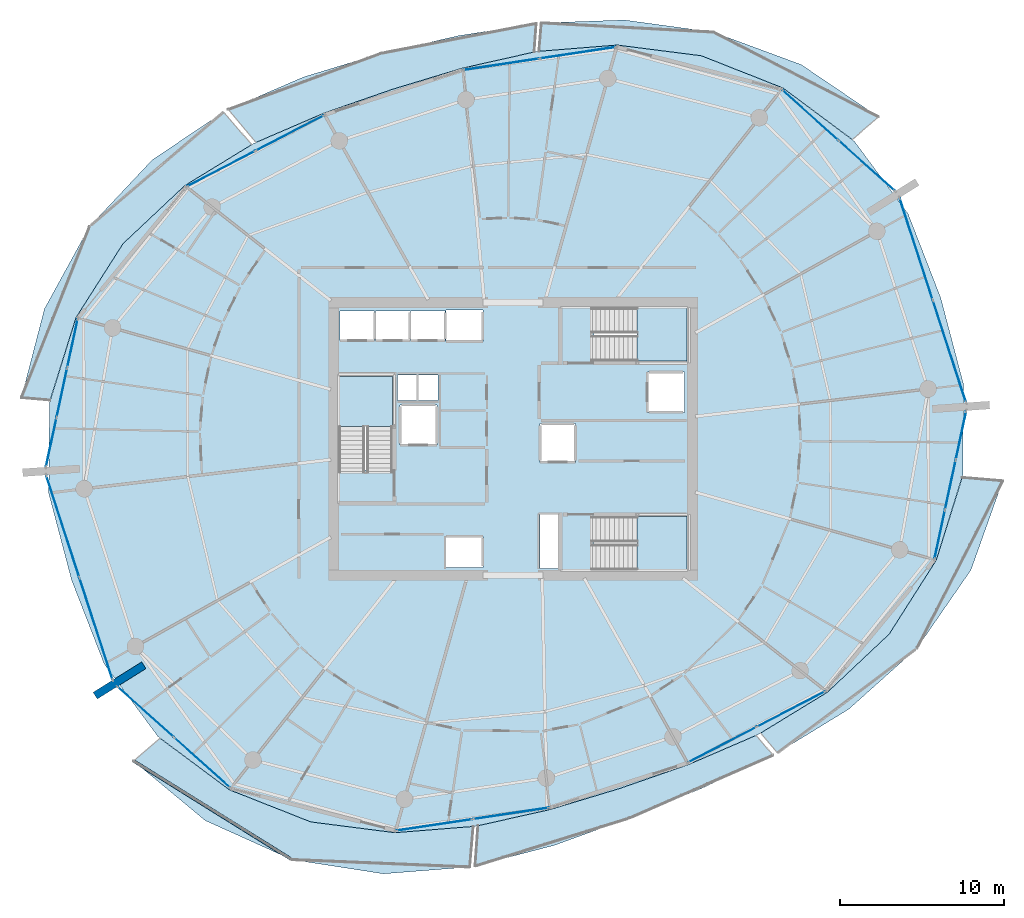
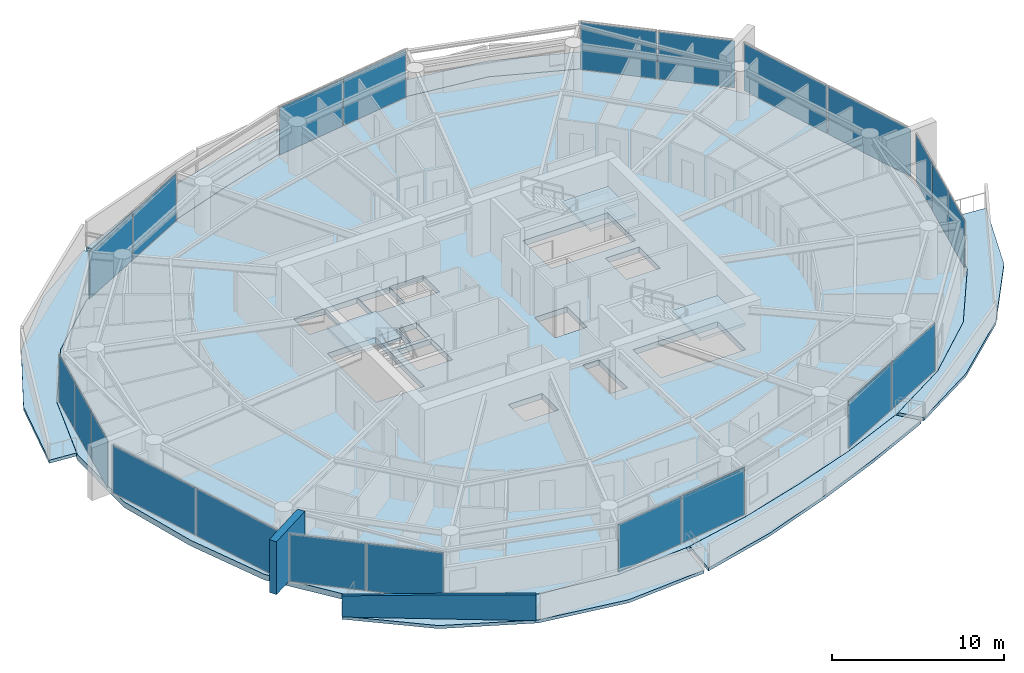
# One storey, part 10 of 21: 22 plates, 10 slabs, 2 walls, 13 elements without a shape of their own.
"""IFC4 building model written with IfcOpenShell, lengths in metres."""

from ifc_helpers import new_model, si_unit, direction, frame, frame_2d, origin, origin_2d, place, context, subcontext, project, spatial, polyline, rectangle, outline, extrude, material, layer, layer_set, type_object, element, aggregate, save


model = new_model("IFC4")

# Units and contexts
model_context = context("Model", 3, precision=1e-05, world=origin(), true_north=direction((0.0, 1.0)))
body_context = subcontext(model_context, "Body", "Model", "MODEL_VIEW")
ifc_project = project(units=[si_unit("LENGTHUNIT", "METRE"), si_unit("AREAUNIT", "SQUARE_METRE"), si_unit("VOLUMEUNIT", "CUBIC_METRE"), si_unit("PLANEANGLEUNIT", "RADIAN"), si_unit("MASSUNIT", "GRAM", prefix="KILO")], contexts=[model_context])

# Site, building, storey
site_placement = place(None, origin())
site = spatial("IfcSite", under=ifc_project, at=site_placement, CompositionType="ELEMENT")
building_placement = place(site_placement, origin())
building = spatial("IfcBuilding", under=site, at=building_placement, Name="Kazma Halo Residences", CompositionType="ELEMENT")
storey_placement = place(building_placement, frame((0.0, 0.0, 176.550048828125)))
storey = spatial("IfcBuildingStorey", under=building, at=storey_placement, Name="L44", CompositionType="ELEMENT", Elevation=176.550048828125)

# Curtain wall, plates
ifc_material_1 = material(Name="Aluminium AW-6063 T6 and Triple-Silver Low-E Glass", Category="aluminium")
ifc_layer_1 = layer(ifc_material_1, 0.219970703125)
ifc_layer_set_1 = layer_set([ifc_layer_1], Name="Aluminium AW-6063 T6 and Triple-Silver Low-E Glass")
curtain_wall_type = type_object("IfcCurtainWallType", Name="CW-SYS-4", PredefinedType="NOTDEFINED", material=ifc_layer_set_1)
curtain_wall_1_placement = place(storey_placement, origin())
curtain_wall_1 = element("IfcCurtainWall", 1, at=curtain_wall_1_placement, inside=storey, type_object=curtain_wall_type, Name="L44 unitised curtain wall B01", PredefinedType="NOTDEFINED")
ifc_material_2 = material(Name="Clear Triple-Silver Low-E Glass IGU", Category="glass")
ifc_layer_2 = layer(ifc_material_2, 0.033935546875)
ifc_layer_set_2 = layer_set([ifc_layer_2], Name="Clear Triple-Silver Low-E Glass IGU")
plate_type = type_object("IfcPlateType", Name="CW-SYS-4-PNL", PredefinedType="CURTAIN_PANEL", material=ifc_layer_set_2)
plate_1_placement = place(storey_placement, frame((70.001220703125, 58.669677734375, 0.074951171875), z_axis=(0.0, 0.0, 1.0), x_axis=(-0.744354814723, 0.667784328806, 0.0)))
plate_1 = element("IfcPlate", 2, at=plate_1_placement, type_object=plate_type, Name="CWS-4 panel 1.1", PredefinedType="CURTAIN_PANEL", context=body_context, shape_type="SweptSolid", body=[
    extrude(rectangle(XDim=4.5478515625, YDim=0.033935546875, at=origin_2d()), origin(), (0.0, 0.0, 1.0), 3.35009765625),
])
plate_2_placement = place(storey_placement, frame((66.56005859375, 61.7568359375, 0.074951171875), z_axis=(0.0, 0.0, 1.0), x_axis=(-0.744354814723, 0.667784328806, 0.0)))
plate_2 = element("IfcPlate", 3, at=plate_2_placement, type_object=plate_type, Name="CWS-4 panel 2.1", PredefinedType="CURTAIN_PANEL", context=body_context, shape_type="SweptSolid", body=[
    extrude(rectangle(XDim=4.5478515625, YDim=0.033935546875, at=origin_2d()), origin(), (0.0, 0.0, 1.0), 3.35009765625),
])
aggregate(curtain_wall_1, [plate_1, plate_2])

curtain_wall_2_placement = place(storey_placement, origin())
curtain_wall_2 = element("IfcCurtainWall", 4, at=curtain_wall_2_placement, inside=storey, type_object=curtain_wall_type, Name="L44 unitised curtain wall B03", PredefinedType="NOTDEFINED")
plate_3_placement = place(storey_placement, frame((52.375, 65.562255859375, 0.074951171875), z_axis=(0.0, 0.0, 1.0), x_axis=(-0.988871428361, -0.148772639188, 0.0)))
plate_3 = element("IfcPlate", 5, at=plate_3_placement, type_object=plate_type, Name="CWS-4 panel 1.1", PredefinedType="CURTAIN_PANEL", context=body_context, shape_type="SweptSolid", body=[
    extrude(rectangle(XDim=4.64501953125, YDim=0.033935546875, at=origin_2d()), origin(), (0.0, 0.0, 1.0), 3.35009765625),
])
plate_4_placement = place(storey_placement, frame((47.70751953125, 64.860107421875, 0.074951171875), z_axis=(0.0, 0.0, 1.0), x_axis=(-0.988871428361, -0.148772639188, 0.0)))
plate_4 = element("IfcPlate", 6, at=plate_4_placement, type_object=plate_type, Name="CWS-4 panel 2.1", PredefinedType="CURTAIN_PANEL", context=body_context, shape_type="SweptSolid", body=[
    extrude(rectangle(XDim=4.64501953125, YDim=0.033935546875, at=origin_2d()), origin(), (0.0, 0.0, 1.0), 3.35009765625),
])
aggregate(curtain_wall_2, [plate_3, plate_4])

curtain_wall_3_placement = place(storey_placement, origin())
curtain_wall_3 = element("IfcCurtainWall", 7, at=curtain_wall_3_placement, inside=storey, type_object=curtain_wall_type, Name="L44 unitised curtain wall B05", PredefinedType="NOTDEFINED")
plate_5_placement = place(storey_placement, frame((34.7998046875, 60.666015625, 0.074951171875), z_axis=(0.0, 0.0, 1.0), x_axis=(-0.887465657575, -0.460873851097, 0.0)))
plate_5 = element("IfcPlate", 8, at=plate_5_placement, type_object=plate_type, Name="CWS-4 panel 1.1", PredefinedType="CURTAIN_PANEL", context=body_context, shape_type="SweptSolid", body=[
    extrude(rectangle(XDim=4.64501953125, YDim=0.033935546875, at=origin_2d()), origin(), (0.0, 0.0, 1.0), 3.35009765625),
])
plate_6_placement = place(storey_placement, frame((30.61083984375, 58.49072265625, 0.074951171875), z_axis=(0.0, 0.0, 1.0), x_axis=(-0.887465657575, -0.460873851097, 0.0)))
plate_6 = element("IfcPlate", 9, at=plate_6_placement, type_object=plate_type, Name="CWS-4 panel 2.1", PredefinedType="CURTAIN_PANEL", context=body_context, shape_type="SweptSolid", body=[
    extrude(rectangle(XDim=4.64501953125, YDim=0.033935546875, at=origin_2d()), origin(), (0.0, 0.0, 1.0), 3.35009765625),
])
aggregate(curtain_wall_3, [plate_5, plate_6])

curtain_wall_4_placement = place(storey_placement, origin())
curtain_wall_4 = element("IfcCurtainWall", 10, at=curtain_wall_4_placement, inside=storey, type_object=curtain_wall_type, Name="L44 unitised curtain wall B07", PredefinedType="NOTDEFINED")
plate_7_placement = place(storey_placement, frame((21.53466796875, 47.833740234375, 0.074951171875), z_axis=(0.0, 0.0, 1.0), x_axis=(-0.209689543175, -0.977768017212, 0.0)))
plate_7 = element("IfcPlate", 11, at=plate_7_placement, type_object=plate_type, Name="CWS-4 panel 1.1", PredefinedType="CURTAIN_PANEL", context=body_context, shape_type="SweptSolid", body=[
    extrude(rectangle(XDim=2.994384765625, YDim=0.033935546875, at=origin_2d()), origin(), (0.0, 0.0, 1.0), 3.35009765625),
])
plate_8_placement = place(storey_placement, frame((20.88720703125, 44.814208984375, 0.074951171875), z_axis=(0.0, 0.0, 1.0), x_axis=(-0.209689543175, -0.977768017212, 0.0)))
plate_8 = element("IfcPlate", 12, at=plate_8_placement, type_object=plate_type, Name="CWS-4 panel 2.1", PredefinedType="CURTAIN_PANEL", context=body_context, shape_type="SweptSolid", body=[
    extrude(rectangle(XDim=3.031982421875, YDim=0.033935546875, at=origin_2d()), origin(), (0.0, 0.0, 1.0), 3.35009765625),
])
plate_9_placement = place(storey_placement, frame((20.239501953125, 41.794677734375, 0.074951171875), z_axis=(0.0, 0.0, 1.0), x_axis=(-0.209689543175, -0.977768017212, 0.0)))
plate_9 = element("IfcPlate", 13, at=plate_9_placement, type_object=plate_type, Name="CWS-4 panel 3.1", PredefinedType="CURTAIN_PANEL", context=body_context, shape_type="SweptSolid", body=[
    extrude(rectangle(XDim=2.994384765625, YDim=0.033935546875, at=origin_2d()), origin(), (0.0, 0.0, 1.0), 3.35009765625),
])
aggregate(curtain_wall_4, [plate_7, plate_8, plate_9])

curtain_wall_5_placement = place(storey_placement, origin())
curtain_wall_5 = element("IfcCurtainWall", 14, at=curtain_wall_5_placement, inside=storey, type_object=curtain_wall_type, Name="L44 unitised curtain wall B08", PredefinedType="NOTDEFINED")
plate_10_placement = place(storey_placement, frame((20.942626953125, 36.658447265625, 0.074951171875), z_axis=(0.0, 0.0, 1.0), x_axis=(0.309015833038, -0.951056893636, 0.0)))
plate_10 = element("IfcPlate", 15, at=plate_10_placement, type_object=plate_type, Name="CWS-4 panel 1.1", PredefinedType="CURTAIN_PANEL", context=body_context, shape_type="SweptSolid", body=[
    extrude(rectangle(XDim=6.487060546875, YDim=0.033935546875, at=origin_2d()), origin(), (0.0, 0.0, 1.0), 3.35009765625),
])
plate_11_placement = place(storey_placement, frame((22.970458984375, 30.41748046875, 0.074951171875), z_axis=(0.0, 0.0, 1.0), x_axis=(0.309015833038, -0.951056893636, 0.0)))
plate_11 = element("IfcPlate", 16, at=plate_11_placement, type_object=plate_type, Name="CWS-4 panel 2.1", PredefinedType="CURTAIN_PANEL", context=body_context, shape_type="SweptSolid", body=[
    extrude(rectangle(XDim=6.487060546875, YDim=0.033935546875, at=origin_2d()), origin(), (0.0, 0.0, 1.0), 3.35009765625),
])
aggregate(curtain_wall_5, [plate_10, plate_11])

curtain_wall_6_placement = place(storey_placement, origin())
curtain_wall_6 = element("IfcCurtainWall", 17, at=curtain_wall_6_placement, inside=storey, type_object=curtain_wall_type, Name="L44 unitised curtain wall B09", PredefinedType="NOTDEFINED")
plate_12_placement = place(storey_placement, frame((25.998779296875, 25.330322265625, 0.074951171875), z_axis=(0.0, 0.0, 1.0), x_axis=(0.744354814723, -0.667784328806, 0.0)))
plate_12 = element("IfcPlate", 18, at=plate_12_placement, type_object=plate_type, Name="CWS-4 panel 1.1", PredefinedType="CURTAIN_PANEL", context=body_context, shape_type="SweptSolid", body=[
    extrude(rectangle(XDim=4.5478515625, YDim=0.033935546875, at=origin_2d()), origin(), (0.0, 0.0, 1.0), 3.35009765625),
])
plate_13_placement = place(storey_placement, frame((29.43994140625, 22.2431640625, 0.074951171875), z_axis=(0.0, 0.0, 1.0), x_axis=(0.744354814723, -0.667784328806, 0.0)))
plate_13 = element("IfcPlate", 19, at=plate_13_placement, type_object=plate_type, Name="CWS-4 panel 2.1", PredefinedType="CURTAIN_PANEL", context=body_context, shape_type="SweptSolid", body=[
    extrude(rectangle(XDim=4.5478515625, YDim=0.033935546875, at=origin_2d()), origin(), (0.0, 0.0, 1.0), 3.35009765625),
])
aggregate(curtain_wall_6, [plate_12, plate_13])

curtain_wall_7_placement = place(storey_placement, origin())
curtain_wall_7 = element("IfcCurtainWall", 20, at=curtain_wall_7_placement, inside=storey, type_object=curtain_wall_type, Name="L44 unitised curtain wall B11", PredefinedType="NOTDEFINED")
plate_14_placement = place(storey_placement, frame((43.625, 18.437744140625, 0.074951171875), z_axis=(0.0, 0.0, 1.0), x_axis=(0.988871428361, 0.148772639188, 0.0)))
plate_14 = element("IfcPlate", 21, at=plate_14_placement, type_object=plate_type, Name="CWS-4 panel 1.1", PredefinedType="CURTAIN_PANEL", context=body_context, shape_type="SweptSolid", body=[
    extrude(rectangle(XDim=4.64501953125, YDim=0.033935546875, at=origin_2d()), origin(), (0.0, 0.0, 1.0), 3.35009765625),
])
plate_15_placement = place(storey_placement, frame((48.29248046875, 19.139892578125, 0.074951171875), z_axis=(0.0, 0.0, 1.0), x_axis=(0.988871428361, 0.148772639188, 0.0)))
plate_15 = element("IfcPlate", 22, at=plate_15_placement, type_object=plate_type, Name="CWS-4 panel 2.1", PredefinedType="CURTAIN_PANEL", context=body_context, shape_type="SweptSolid", body=[
    extrude(rectangle(XDim=4.64501953125, YDim=0.033935546875, at=origin_2d()), origin(), (0.0, 0.0, 1.0), 3.35009765625),
])
aggregate(curtain_wall_7, [plate_14, plate_15])

curtain_wall_8_placement = place(storey_placement, origin())
curtain_wall_8 = element("IfcCurtainWall", 23, at=curtain_wall_8_placement, inside=storey, type_object=curtain_wall_type, Name="L44 unitised curtain wall B13", PredefinedType="NOTDEFINED")
plate_16_placement = place(storey_placement, frame((61.2001953125, 23.333984375, 0.074951171875), z_axis=(0.0, 0.0, 1.0), x_axis=(0.887465657575, 0.460873851097, 0.0)))
plate_16 = element("IfcPlate", 24, at=plate_16_placement, type_object=plate_type, Name="CWS-4 panel 1.1", PredefinedType="CURTAIN_PANEL", context=body_context, shape_type="SweptSolid", body=[
    extrude(rectangle(XDim=4.64501953125, YDim=0.033935546875, at=origin_2d()), origin(), (0.0, 0.0, 1.0), 3.35009765625),
])
plate_17_placement = place(storey_placement, frame((65.38916015625, 25.50927734375, 0.074951171875), z_axis=(0.0, 0.0, 1.0), x_axis=(0.887465657575, 0.460873851097, 0.0)))
plate_17 = element("IfcPlate", 25, at=plate_17_placement, type_object=plate_type, Name="CWS-4 panel 2.1", PredefinedType="CURTAIN_PANEL", context=body_context, shape_type="SweptSolid", body=[
    extrude(rectangle(XDim=4.64501953125, YDim=0.033935546875, at=origin_2d()), origin(), (0.0, 0.0, 1.0), 3.35009765625),
])
aggregate(curtain_wall_8, [plate_16, plate_17])

curtain_wall_9_placement = place(storey_placement, origin())
curtain_wall_9 = element("IfcCurtainWall", 26, at=curtain_wall_9_placement, inside=storey, type_object=curtain_wall_type, Name="L44 unitised curtain wall B15", PredefinedType="NOTDEFINED")
plate_18_placement = place(storey_placement, frame((74.46533203125, 36.166259765625, 0.074951171875), z_axis=(0.0, 0.0, 1.0), x_axis=(0.209689543175, 0.977768017212, 0.0)))
plate_18 = element("IfcPlate", 27, at=plate_18_placement, type_object=plate_type, Name="CWS-4 panel 1.1", PredefinedType="CURTAIN_PANEL", context=body_context, shape_type="SweptSolid", body=[
    extrude(rectangle(XDim=2.994384765625, YDim=0.033935546875, at=origin_2d()), origin(), (0.0, 0.0, 1.0), 3.35009765625),
])
plate_19_placement = place(storey_placement, frame((75.11279296875, 39.185791015625, 0.074951171875), z_axis=(0.0, 0.0, 1.0), x_axis=(0.209689543175, 0.977768017212, 0.0)))
plate_19 = element("IfcPlate", 28, at=plate_19_placement, type_object=plate_type, Name="CWS-4 panel 2.1", PredefinedType="CURTAIN_PANEL", context=body_context, shape_type="SweptSolid", body=[
    extrude(rectangle(XDim=3.031982421875, YDim=0.033935546875, at=origin_2d()), origin(), (0.0, 0.0, 1.0), 3.35009765625),
])
plate_20_placement = place(storey_placement, frame((75.760498046875, 42.205322265625, 0.074951171875), z_axis=(0.0, 0.0, 1.0), x_axis=(0.209689543175, 0.977768017212, 0.0)))
plate_20 = element("IfcPlate", 29, at=plate_20_placement, type_object=plate_type, Name="CWS-4 panel 3.1", PredefinedType="CURTAIN_PANEL", context=body_context, shape_type="SweptSolid", body=[
    extrude(rectangle(XDim=2.994384765625, YDim=0.033935546875, at=origin_2d()), origin(), (0.0, 0.0, 1.0), 3.35009765625),
])
aggregate(curtain_wall_9, [plate_18, plate_19, plate_20])

curtain_wall_10_placement = place(storey_placement, origin())
curtain_wall_10 = element("IfcCurtainWall", 30, at=curtain_wall_10_placement, inside=storey, type_object=curtain_wall_type, Name="L44 unitised curtain wall B16", PredefinedType="NOTDEFINED")
plate_21_placement = place(storey_placement, frame((75.057373046875, 47.341552734375, 0.074951171875), z_axis=(0.0, 0.0, 1.0), x_axis=(-0.309015833038, 0.951056893636, 0.0)))
plate_21 = element("IfcPlate", 31, at=plate_21_placement, type_object=plate_type, Name="CWS-4 panel 1.1", PredefinedType="CURTAIN_PANEL", context=body_context, shape_type="SweptSolid", body=[
    extrude(rectangle(XDim=6.487060546875, YDim=0.033935546875, at=origin_2d()), origin(), (0.0, 0.0, 1.0), 3.35009765625),
])
plate_22_placement = place(storey_placement, frame((73.029541015625, 53.58251953125, 0.074951171875), z_axis=(0.0, 0.0, 1.0), x_axis=(-0.309015833038, 0.951056893636, 0.0)))
plate_22 = element("IfcPlate", 32, at=plate_22_placement, type_object=plate_type, Name="CWS-4 panel 2.1", PredefinedType="CURTAIN_PANEL", context=body_context, shape_type="SweptSolid", body=[
    extrude(rectangle(XDim=6.487060546875, YDim=0.033935546875, at=origin_2d()), origin(), (0.0, 0.0, 1.0), 3.35009765625),
])
aggregate(curtain_wall_10, [plate_21, plate_22])

# Slabs
ifc_material_3 = material(Name="White Concrete C50/60", Category="concrete")
ifc_layer_3 = layer(ifc_material_3, 0.219970703125)
ifc_layer_set_3 = layer_set([ifc_layer_3], Name="White Concrete C50/60")
slab_type_1 = type_object("IfcSlabType", Name="SLB-BAL-WAVE-210", PredefinedType="FLOOR", material=ifc_layer_set_3)
slab_1_placement = place(storey_placement, frame((0.0, 0.0, -0.219970703125)))
element("IfcSlab", 33, at=slab_1_placement, inside=storey, type_object=slab_type_1, Name="L44 NE cantilevered wave balcony slab", PredefinedType="FLOOR", context=body_context, shape_type="SweptSolid", body=[
    extrude(outline(polyline([(69.130126953125, 60.271240234375), (64.88720703125, 63.421142578125), (59.913818359375, 65.382080078125), (54.779052734375, 66.036376953125), (50.007080078125, 65.656005859375), (50.15380859375, 67.384521484375), (55.2099609375, 67.564697265625), (60.648193359375, 66.8232421875), (66.007080078125, 64.841796875), (70.725830078125, 61.65087890625), (69.130126953125, 60.271240234375)])), origin(), (0.0, 0.0, 1.0), 0.219970703125),
])
slab_2_placement = place(storey_placement, frame((0.0, 0.0, -0.219970703125)))
element("IfcSlab", 34, at=slab_2_placement, inside=storey, type_object=slab_type_1, Name="L44 NNW cantilevered wave balcony slab", PredefinedType="FLOOR", context=body_context, shape_type="SweptSolid", body=[
    extrude(outline(polyline([(49.713134765625, 65.612060546875), (45.322265625, 64.62451171875), (41.066650390625, 63.338623046875), (36.867919921875, 61.877685546875), (32.735107421875, 60.095458984375), (31.04296875, 62.1015625), (35.631591796875, 64.085205078125), (40.35693359375, 65.523193359375), (45.08740234375, 66.607177734375), (49.83935546875, 67.351318359375), (49.713134765625, 65.612060546875)])), origin(), (0.0, 0.0, 1.0), 0.219970703125),
])
slab_3_placement = place(storey_placement, frame((0.0, 0.0, -0.219970703125)))
element("IfcSlab", 35, at=slab_3_placement, inside=storey, type_object=slab_type_1, Name="L44 NW cantilevered wave balcony slab", PredefinedType="FLOOR", context=body_context, shape_type="SweptSolid", body=[
    extrude(outline(polyline([(32.471435546875, 59.958251953125), (28.387451171875, 57.461181640625), (24.617919921875, 53.913818359375), (21.7470703125, 49.404052734375), (20.165771484375, 44.36181640625), (18.413818359375, 44.510498046875), (19.825439453125, 49.946044921875), (22.5712890625, 54.95654296875), (26.400390625, 59.02783203125), (30.751708984375, 61.947021484375), (32.471435546875, 59.958251953125)])), origin(), (0.0, 0.0, 1.0), 0.219970703125),
])
slab_4_placement = place(storey_placement, frame((0.0, 0.0, -0.219970703125)))
element("IfcSlab", 36, at=slab_4_placement, inside=storey, type_object=slab_type_1, Name="L44 SW cantilevered wave balcony slab", PredefinedType="FLOOR", context=body_context, shape_type="SweptSolid", body=[
    extrude(outline(polyline([(26.869873046875, 23.728759765625), (31.11279296875, 20.578857421875), (36.086181640625, 18.617919921875), (41.220947265625, 17.963623046875), (45.992919921875, 18.343994140625), (45.78271484375, 15.869384765625), (40.51318359375, 15.453369140625), (34.915771484375, 16.320556640625), (29.63525390625, 18.704345703125), (25.259765625, 22.33642578125), (26.869873046875, 23.728759765625)])), origin(), (0.0, 0.0, 1.0), 0.219970703125),
])
slab_5_placement = place(storey_placement, frame((0.0, 0.0, -0.219970703125)))
element("IfcSlab", 37, at=slab_5_placement, inside=storey, type_object=slab_type_1, Name="L44 SSE cantilevered wave balcony slab", PredefinedType="FLOOR", context=body_context, shape_type="SweptSolid", body=[
    extrude(outline(polyline([(46.286865234375, 18.387939453125), (50.677734375, 19.37548828125), (54.933349609375, 20.661376953125), (59.132080078125, 22.122314453125), (63.264892578125, 23.904541015625), (64.28662109375, 22.693115234375), (59.94580078125, 20.669189453125), (55.520263671875, 18.855224609375), (50.936279296875, 17.19140625), (46.1083984375, 15.928955078125), (46.286865234375, 18.387939453125)])), origin(), (0.0, 0.0, 1.0), 0.219970703125),
])
slab_6_placement = place(storey_placement, frame((0.0, 0.0, -0.219970703125)))
element("IfcSlab", 38, at=slab_6_placement, inside=storey, type_object=slab_type_1, Name="L44 SE cantilevered wave balcony slab", PredefinedType="FLOOR", context=body_context, shape_type="SweptSolid", body=[
    extrude(outline(polyline([(63.528564453125, 24.041748046875), (67.612548828125, 26.538818359375), (71.382080078125, 30.086181640625), (74.2529296875, 34.595947265625), (75.834228515625, 39.63818359375), (78.305419921875, 39.4287109375), (76.369873046875, 33.998779296875), (73.073974609375, 29.22412109375), (68.920654296875, 25.507568359375), (64.568115234375, 22.839599609375), (63.528564453125, 24.041748046875)])), origin(), (0.0, 0.0, 1.0), 0.219970703125),
])

# Stair, slab
ifc_material_4 = material(Name="Concrete C50/60", Category="concrete")
stair_type = type_object("IfcStairType", Name="STR-RES1", PredefinedType="HALF_TURN_STAIR", material=ifc_material_4)
stair_1_placement = place(storey_placement, origin())
stair_1 = element("IfcStair", 39, at=stair_1_placement, inside=storey, type_object=stair_type, Name="L44 Core exit stair ST-01", PredefinedType="HALF_TURN_STAIR")
ifc_layer_4 = layer(ifc_material_4, 0.199951171875)
ifc_layer_set_4 = layer_set([ifc_layer_4], Name="Concrete C50/60")
slab_type_2 = type_object("IfcSlabType", Name="SLB-STAIR-LND-200", PredefinedType="LANDING", material=ifc_layer_set_4)
slab_7_placement = place(storey_placement, frame((0.0, 0.0, 1.675048828125)))
slab_7 = element("IfcSlab", 40, at=slab_7_placement, type_object=slab_type_2, Name="ST-01 landing 1", PredefinedType="LANDING", context=body_context, shape_type="SweptSolid", body=[
    extrude(outline(polyline([(41.050048828125, 42.75), (41.050048828125, 45.800048828125), (37.800048828125, 45.800048828125), (37.800048828125, 42.75), (41.050048828125, 42.75)])), origin(), (0.0, 0.0, 1.0), 0.199951171875),
])
aggregate(stair_1, [slab_7])

stair_2_placement = place(storey_placement, origin())
stair_2 = element("IfcStair", 41, at=stair_2_placement, inside=storey, type_object=stair_type, Name="L44 Core exit stair ST-02", PredefinedType="HALF_TURN_STAIR")
slab_8_placement = place(storey_placement, frame((0.0, 0.0, 1.675048828125)))
slab_8 = element("IfcSlab", 42, at=slab_8_placement, type_object=slab_type_2, Name="ST-02 landing 1", PredefinedType="LANDING", context=body_context, shape_type="SweptSolid", body=[
    extrude(outline(polyline([(56.0, 46.75), (59.050048828125, 46.75), (59.050048828125, 50.0), (56.0, 50.0), (56.0, 46.75)])), origin(), (0.0, 0.0, 1.0), 0.199951171875),
])
aggregate(stair_2, [slab_8])

stair_3_placement = place(storey_placement, origin())
stair_3 = element("IfcStair", 43, at=stair_3_placement, inside=storey, type_object=stair_type, Name="L44 Core exit stair ST-03", PredefinedType="HALF_TURN_STAIR")
slab_9_placement = place(storey_placement, frame((0.0, 0.0, 1.675048828125)))
slab_9 = element("IfcSlab", 44, at=slab_9_placement, type_object=slab_type_2, Name="ST-03 landing 1", PredefinedType="LANDING", context=body_context, shape_type="SweptSolid", body=[
    extrude(outline(polyline([(56.0, 34.0), (59.050048828125, 34.0), (59.050048828125, 37.25), (56.0, 37.25), (56.0, 34.0)])), origin(), (0.0, 0.0, 1.0), 0.199951171875),
])
aggregate(stair_3, [slab_9])

# Slab
ifc_material_5 = material(Name="Concrete C60/75", Category="concrete")
ifc_layer_5 = layer(ifc_material_5, 0.39990234375)
ifc_layer_set_5 = layer_set([ifc_layer_5], Name="Concrete C60/75")
slab_type_3 = type_object("IfcSlabType", Name="SLB-TRANS-400", PredefinedType="FLOOR", material=ifc_layer_set_5)
slab_10_placement = place(storey_placement, frame((0.0, 0.0, -0.400146484375)))
element("IfcSlab", 45, at=slab_10_placement, inside=storey, type_object=slab_type_3, Name="L44 structural floor slab", PredefinedType="FLOOR", context=body_context, shape_type="SweptSolid", body=[
    extrude(outline(polyline([(74.521484375, 50.617431640625), (72.531982421875, 55.738525390625), (69.2587890625, 60.156494140625), (64.8857421875, 63.41943359375), (59.912841796875, 65.380126953125), (54.7783203125, 66.034423828125), (49.860595703125, 65.64111328125), (45.322509765625, 64.62255859375), (41.0673828125, 63.336669921875), (36.868896484375, 61.875732421875), (32.598876953125, 60.032470703125), (28.388916015625, 57.460205078125), (24.619873046875, 53.912841796875), (21.7490234375, 49.403564453125), (20.129150390625, 44.193603515625), (20.07763671875, 38.6953125), (21.478515625, 33.382568359375), (23.468017578125, 28.261474609375), (26.7412109375, 23.843505859375), (31.1142578125, 20.58056640625), (36.087158203125, 18.619873046875), (41.2216796875, 17.965576171875), (46.139404296875, 18.35888671875), (50.677490234375, 19.37744140625), (54.9326171875, 20.663330078125), (59.131103515625, 22.124267578125), (63.401123046875, 23.967529296875), (67.611083984375, 26.539794921875), (71.380126953125, 30.087158203125), (74.2509765625, 34.596435546875), (75.870849609375, 39.806396484375), (75.92236328125, 45.3046875), (74.521484375, 50.617431640625)]), holes=[polyline([(37.800048828125, 40.110107421875), (41.050048828125, 40.110107421875), (41.050048828125, 45.800048828125), (37.800048828125, 45.800048828125), (37.800048828125, 40.110107421875)]), polyline([(53.360107421875, 46.75), (59.050048828125, 46.75), (59.050048828125, 50.0), (53.360107421875, 50.0), (53.360107421875, 46.75)]), polyline([(53.360107421875, 34.0), (59.050048828125, 34.0), (59.050048828125, 37.25), (53.360107421875, 37.25), (53.360107421875, 34.0)]), polyline([(41.52001953125, 41.6201171875), (43.780029296875, 41.6201171875), (43.780029296875, 44.080078125), (41.52001953125, 44.080078125), (41.52001953125, 41.6201171875)]), polyline([(56.6201171875, 43.6201171875), (58.8798828125, 43.6201171875), (58.8798828125, 46.080078125), (56.6201171875, 46.080078125), (56.6201171875, 43.6201171875)]), polyline([(37.864990234375, 47.9951171875), (39.97509765625, 47.9951171875), (39.97509765625, 49.804931640625), (37.864990234375, 49.804931640625), (37.864990234375, 47.9951171875)]), polyline([(40.014892578125, 47.9951171875), (42.125, 47.9951171875), (42.125, 49.804931640625), (40.014892578125, 49.804931640625), (40.014892578125, 47.9951171875)]), polyline([(42.1650390625, 47.9951171875), (44.27490234375, 47.9951171875), (44.27490234375, 49.804931640625), (42.1650390625, 49.804931640625), (42.1650390625, 47.9951171875)]), polyline([(44.320068359375, 47.945068359375), (46.580078125, 47.945068359375), (46.580078125, 49.85498046875), (44.320068359375, 49.85498046875), (44.320068359375, 47.945068359375)]), polyline([(44.320068359375, 34.14501953125), (46.580078125, 34.14501953125), (46.580078125, 36.054931640625), (44.320068359375, 36.054931640625), (44.320068359375, 34.14501953125)]), polyline([(50.070068359375, 40.570068359375), (52.22998046875, 40.570068359375), (52.22998046875, 42.929931640625), (50.070068359375, 42.929931640625), (50.070068359375, 40.570068359375)]), polyline([(41.360107421875, 44.340087890625), (42.5400390625, 44.340087890625), (42.5400390625, 45.89990234375), (41.360107421875, 45.89990234375), (41.360107421875, 44.340087890625)]), polyline([(42.659912109375, 44.340087890625), (43.840087890625, 44.340087890625), (43.840087890625, 45.89990234375), (42.659912109375, 45.89990234375), (42.659912109375, 44.340087890625)]), polyline([(50.06005859375, 34.080078125), (51.159912109375, 34.080078125), (51.159912109375, 37.3798828125), (50.06005859375, 37.3798828125), (50.06005859375, 34.080078125)])]), origin(), (0.0, 0.0, 1.0), 0.400146484375),
])

# Walls
ifc_material_6 = material(Name="White Concrete C50/60 Balustrade", Category="concrete")
ifc_layer_6 = layer(ifc_material_6, 0.179931640625)
ifc_layer_set_6 = layer_set([ifc_layer_6], Name="White Concrete C50/60 Balustrade")
wall_type_1 = type_object("IfcWallType", Name="WL-BAL-WAVE-180", PredefinedType="PARAPET", material=ifc_layer_set_6)
wall_1_placement = place(storey_placement, frame((25.259765625, 22.33642578125, 0.0), z_axis=(0.0, 0.0, 1.0), x_axis=(0.84875531388, -0.528785795158, 0.0)))
element("IfcWall", 46, at=wall_1_placement, inside=storey, type_object=wall_type_1, Name="L44 white wave balustrade wall SW.1", PredefinedType="PARAPET", context=body_context, shape_type="SweptSolid", body=[
    extrude(outline(polyline([(0.0, 0.0), (11.2568359375, 0.0), (11.256591796875, 1.83203125), (5.62841796875, 1.696044921875), (0.0, 1.4970703125), (0.0, 0.0)])), frame((0.0, 0.08984375, 0.0), z_axis=(0.0, -1.0, 0.0), x_axis=(1.0, 0.0, 0.0)), (0.0, 0.0, 1.0), 0.179931640625),
])
ifc_material_7 = material(Name="Pale Concrete C60/75", Category="concrete")
ifc_layer_7 = layer(ifc_material_7, 0.47998046875)
ifc_layer_set_7 = layer_set([ifc_layer_7], Name="Pale Concrete C60/75")
wall_type_2 = type_object("IfcWallType", Name="WL-BLADE-480", PredefinedType="SOLIDWALL", material=ifc_layer_set_7)
wall_2_placement = place(storey_placement, frame((25.88623046875, 28.181884765625, 0.0), z_axis=(0.0, 0.0, 1.0), x_axis=(-0.848033572426, -0.529942506352, 0.0)))
element("IfcWall", 47, at=wall_2_placement, inside=storey, type_object=wall_type_2, Name="L44 pale concrete structural blade fin wall BW-03", PredefinedType="SOLIDWALL", context=body_context, shape_type="SweptSolid", body=[
    extrude(rectangle(XDim=3.5, YDim=0.47998046875, at=frame_2d((1.75, 0.0))), origin(), (0.0, 0.0, 1.0), 3.75),
])

save(model, "model.ifc")
